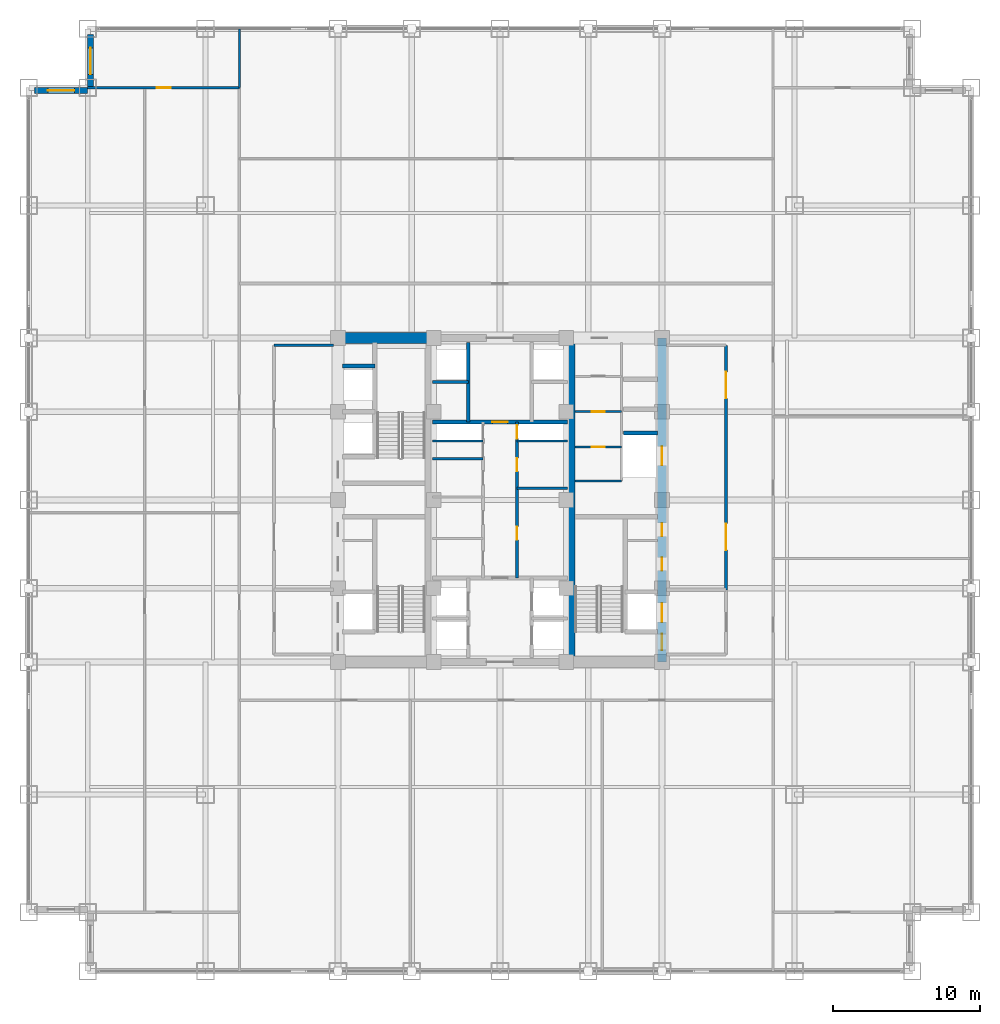
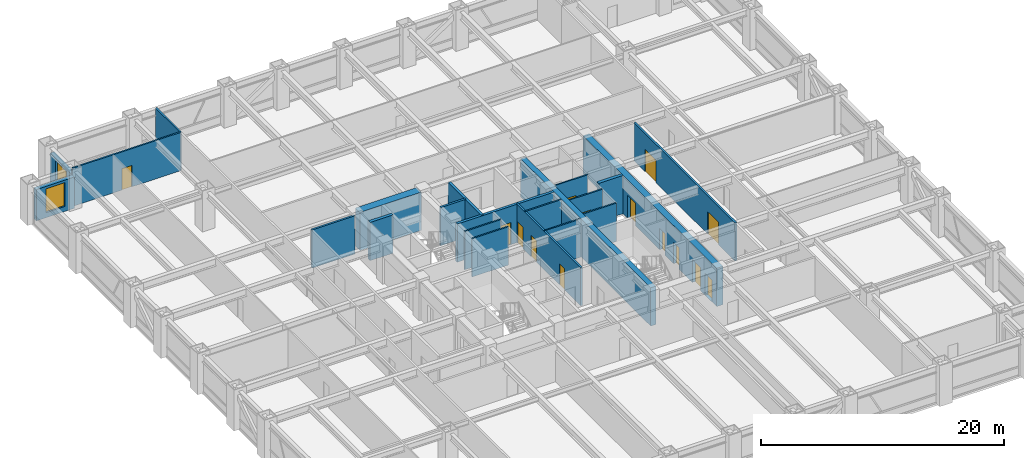
# One storey, part 25 of 27: 22 walls, 14 doors, 2 windows, 16 openings.
"""IFC4 building model written with IfcOpenShell, lengths in metres."""

from ifc_helpers import new_model, si_unit, direction, frame, frame_2d, origin, place, context, subcontext, project, spatial, rectangle, extrude, source, transform, mapped, material, layer, layer_set, type_object, element, fill, save


model = new_model("IFC4")

# Units and contexts
model_context = context("Model", 3, precision=1e-05, world=origin(), true_north=direction((0.0, 1.0)))
body_context = subcontext(model_context, "Body", "Model", "MODEL_VIEW")
ifc_project = project(units=[si_unit("LENGTHUNIT", "METRE"), si_unit("AREAUNIT", "SQUARE_METRE"), si_unit("VOLUMEUNIT", "CUBIC_METRE"), si_unit("PLANEANGLEUNIT", "RADIAN"), si_unit("MASSUNIT", "GRAM", prefix="KILO")], contexts=[model_context])

# Site, building, storey
site_placement = place(None, origin())
site = spatial("IfcSite", under=ifc_project, at=site_placement, CompositionType="ELEMENT")
building_placement = place(site_placement, origin())
building = spatial("IfcBuilding", under=site, at=building_placement, Name="Khorayat Bourse Tower", CompositionType="ELEMENT")
storey_placement = place(building_placement, frame((0.0, 0.0, 103.699951171875)))
storey = spatial("IfcBuildingStorey", under=building, at=storey_placement, Name="L23", CompositionType="ELEMENT", Elevation=103.699951171875)

# Wall, openings, doors
ifc_material_1 = material(Name="Concrete C60/75", Category="concrete")
ifc_layer_1 = layer(ifc_material_1, 0.60009765625)
ifc_layer_set_1 = layer_set([ifc_layer_1], Name="Concrete C60/75")
wall_type_1 = type_object("IfcWallType", Name="WAL-CORE-600", PredefinedType="SHEAR", material=ifc_layer_set_1)
shared_shape_1 = source(origin(), body_context, "Body", "SweptSolid", [
    extrude(rectangle(XDim=22.0, YDim=0.60009765625, at=frame_2d((11.0, 0.0))), origin(), (0.0, 0.0, 1.0), 3.840087890625),
])
wall_1_placement = place(storey_placement, frame((11.0, -11.0, 0.0), z_axis=(0.0, 0.0, 1.0), x_axis=(0.0, 1.0, 0.0)))
wall_1 = element("IfcWall", 1, at=wall_1_placement, inside=storey, type_object=wall_type_1, Name="L23 Core Shear Wall CORE-E", PredefinedType="SHEAR", context=body_context, shape_type="MappedRepresentation", body=[
    mapped(shared_shape_1, transform((0.0, 0.0, 0.0), scale=1.0)),
])
shared_shape_2 = source(origin(), body_context, "Body", "SweptSolid", [
    extrude(rectangle(XDim=1.10009765625, YDim=2.199951171875, at=frame_2d((0.550048828125, 1.10009765625))), frame((0.0, 0.31005859375, 0.0), z_axis=(0.0, -1.0, 0.0), x_axis=(1.0, 0.0, 0.0)), (0.0, 0.0, 1.0), 0.6201171875),
])
opening_1_placement = place(wall_1_placement, frame((0.800048828125, 0.0, 0.0)))
opening_1 = element("IfcOpeningElement", 2, at=opening_1_placement, cuts=wall_1, Name="Opening DI-01", PredefinedType="OPENING", context=body_context, shape_type="MappedRepresentation", body=[
    mapped(shared_shape_2, transform((0.0, 0.0, 0.0), scale=1.0)),
])
shared_shape_3 = source(origin(), body_context, "Body", "SweptSolid", [
    extrude(rectangle(XDim=0.89990234375, YDim=2.14990234375, at=frame_2d((0.449951171875, 1.074951171875))), frame((0.0, 0.31005859375, 0.0), z_axis=(0.0, -1.0, 0.0), x_axis=(1.0, 0.0, 0.0)), (0.0, 0.0, 1.0), 0.6201171875),
])
opening_2_placement = place(wall_1_placement, frame((6.199951171875, 0.0, 0.0)))
opening_2 = element("IfcOpeningElement", 3, at=opening_2_placement, cuts=wall_1, Name="Opening DI-06", PredefinedType="OPENING", context=body_context, shape_type="MappedRepresentation", body=[
    mapped(shared_shape_3, transform((0.0, 0.0, 0.0), scale=1.0)),
])
opening_3_placement = place(wall_1_placement, frame((8.52490234375, 0.0, 0.0)))
opening_3 = element("IfcOpeningElement", 4, at=opening_3_placement, cuts=wall_1, Name="Opening DI-06", PredefinedType="OPENING", context=body_context, shape_type="MappedRepresentation", body=[
    mapped(shared_shape_3, transform((0.0, 0.0, 0.0), scale=1.0)),
])
shared_shape_4 = source(origin(), body_context, "Body", "SweptSolid", [
    extrude(rectangle(XDim=1.300048828125, YDim=2.300048828125, at=frame_2d((0.64990234375, 1.14990234375))), frame((0.0, 0.31005859375, 0.0), z_axis=(0.0, -1.0, 0.0), x_axis=(1.0, 0.0, 0.0)), (0.0, 0.0, 1.0), 0.6201171875),
])
opening_4_placement = place(wall_1_placement, frame((2.699951171875, 0.0, 0.0)))
opening_4 = element("IfcOpeningElement", 5, at=opening_4_placement, cuts=wall_1, Name="Opening LD-02", PredefinedType="OPENING", context=body_context, shape_type="MappedRepresentation", body=[
    mapped(shared_shape_4, transform((0.0, 0.0, 0.0), scale=1.0)),
])
opening_5_placement = place(wall_1_placement, frame((13.35009765625, 0.0, 0.0)))
opening_5 = element("IfcOpeningElement", 6, at=opening_5_placement, cuts=wall_1, Name="Opening LD-02", PredefinedType="OPENING", context=body_context, shape_type="MappedRepresentation", body=[
    mapped(shared_shape_4, transform((0.0, 0.0, 0.0), scale=1.0)),
])
ifc_material_2 = material(Name="Fire-rated steel acoustic leaf", Category="steel")
door_type_1 = type_object("IfcDoorType", Name="DR-INT-STAIR-1100", OperationType="NOTDEFINED", PredefinedType="DOOR", material=ifc_material_2)
shared_shape_5 = source(origin(), body_context, "Body", "SweptSolid", [
    extrude(rectangle(XDim=1.10009765625, YDim=2.199951171875, at=frame_2d((0.550048828125, 1.10009765625))), frame((0.0, 0.02490234375, 0.0), z_axis=(0.0, -1.0, 0.0), x_axis=(1.0, 0.0, 0.0)), (0.0, 0.0, 1.0), 0.050048828125),
])
door_1_placement = place(opening_1_placement, origin())
door_1 = element("IfcDoor", 7, at=door_1_placement, inside=storey, type_object=door_type_1, Name="L23 Exit Stair 3 Door", OperationType="SINGLE_SWING_LEFT", OverallHeight=2.199951171875, OverallWidth=1.10009765625, PredefinedType="DOOR", context=body_context, shape_type="MappedRepresentation", body=[
    mapped(shared_shape_5, transform((0.0, 0.0, 0.0), scale=1.0)),
])
fill(opening_1, door_1)
ifc_material_3 = material(Name="Moisture-resistant laminate washroom door")
door_type_2 = type_object("IfcDoorType", Name="DR-INT-WC-900", OperationType="NOTDEFINED", PredefinedType="DOOR", material=ifc_material_3)
shared_shape_6 = source(origin(), body_context, "Body", "SweptSolid", [
    extrude(rectangle(XDim=0.89990234375, YDim=2.14990234375, at=frame_2d((0.449951171875, 1.074951171875))), frame((0.0, 0.02490234375, 0.0), z_axis=(0.0, -1.0, 0.0), x_axis=(1.0, 0.0, 0.0)), (0.0, 0.0, 1.0), 0.050048828125),
])
door_2_placement = place(opening_2_placement, origin())
door_2 = element("IfcDoor", 8, at=door_2_placement, inside=storey, type_object=door_type_2, Name="L23 Telecom Closet Door", OperationType="SINGLE_SWING_LEFT", OverallHeight=2.14990234375, OverallWidth=0.89990234375, PredefinedType="DOOR", context=body_context, shape_type="MappedRepresentation", body=[
    mapped(shared_shape_6, transform((0.0, 0.0, 0.0), scale=1.0)),
])
fill(opening_2, door_2)
door_3_placement = place(opening_3_placement, origin())
door_3 = element("IfcDoor", 9, at=door_3_placement, inside=storey, type_object=door_type_2, Name="L23 Stationery Store Door", OperationType="SINGLE_SWING_RIGHT", OverallHeight=2.14990234375, OverallWidth=0.89990234375, PredefinedType="DOOR", context=body_context, shape_type="MappedRepresentation", body=[
    mapped(shared_shape_6, transform((0.0, 0.0, 0.0), scale=1.0)),
])
fill(opening_3, door_3)
ifc_material_4 = material(Name="Fire-rated stainless-steel sliding landing door", Category="steel")
door_type_3 = type_object("IfcDoorType", Name="DR-LIFT-FF-1300", OperationType="NOTDEFINED", PredefinedType="DOOR", material=ifc_material_4)
shared_shape_7 = source(origin(), body_context, "Body", "SweptSolid", [
    extrude(rectangle(XDim=1.300048828125, YDim=2.300048828125, at=frame_2d((0.64990234375, 1.14990234375))), frame((0.0, 0.02490234375, 0.0), z_axis=(0.0, -1.0, 0.0), x_axis=(1.0, 0.0, 0.0)), (0.0, 0.0, 1.0), 0.050048828125),
])
door_4_placement = place(opening_4_placement, origin())
door_4 = element("IfcDoor", 10, at=door_4_placement, inside=storey, type_object=door_type_3, Name="L23 Lift FFL-02 Sliding Landing Door", OperationType="SLIDING_TO_LEFT", OverallHeight=2.300048828125, OverallWidth=1.300048828125, PredefinedType="DOOR", context=body_context, shape_type="MappedRepresentation", body=[
    mapped(shared_shape_7, transform((0.0, 0.0, 0.0), scale=1.0)),
])
fill(opening_4, door_4)
door_5_placement = place(opening_5_placement, origin())
door_5 = element("IfcDoor", 11, at=door_5_placement, inside=storey, type_object=door_type_3, Name="L23 Lift SVL-01 Sliding Landing Door", OperationType="SLIDING_TO_LEFT", OverallHeight=2.300048828125, OverallWidth=1.300048828125, PredefinedType="DOOR", context=body_context, shape_type="MappedRepresentation", body=[
    mapped(shared_shape_7, transform((0.0, 0.0, 0.0), scale=1.0)),
])
fill(opening_5, door_5)

# Walls
ifc_material_5 = material(Name="Concrete C52/65", Category="concrete")
ifc_layer_2 = layer(ifc_material_5, 0.5)
ifc_layer_set_2 = layer_set([ifc_layer_2], Name="Concrete C52/65")
wall_type_2 = type_object("IfcWallType", Name="WAL-CORE-500", PredefinedType="SHEAR", material=ifc_layer_set_2)
shared_shape_8 = source(origin(), body_context, "Body", "SweptSolid", [
    extrude(rectangle(XDim=21.39990234375, YDim=0.5, at=frame_2d((10.699951171875, 0.0))), origin(), (0.0, 0.0, 1.0), 3.840087890625),
])
wall_2_placement = place(storey_placement, frame((4.85009765625, -10.699951171875, 0.0), z_axis=(0.0, 0.0, 1.0), x_axis=(0.0, 1.0, 0.0)))
element("IfcWall", 12, at=wall_2_placement, inside=storey, type_object=wall_type_2, Name="L23 Core Shear Wall PIER-E", PredefinedType="SHEAR", context=body_context, shape_type="MappedRepresentation", body=[
    mapped(shared_shape_8, transform((0.0, 0.0, 0.0), scale=1.0)),
])
ifc_material_6 = material(Name="Concrete C72/90", Category="concrete")
ifc_layer_3 = layer(ifc_material_6, 0.75)
ifc_layer_set_3 = layer_set([ifc_layer_3], Name="Concrete C72/90")
wall_type_3 = type_object("IfcWallType", Name="WAL-CORE-750", PredefinedType="SHEAR", material=ifc_layer_set_3)
shared_shape_9 = source(origin(), body_context, "Body", "SweptSolid", [
    extrude(rectangle(XDim=5.849853515625, YDim=0.75, at=frame_2d((2.9248046875, 0.0))), origin(), (0.0, 0.0, 1.0), 3.840087890625),
])
wall_3_placement = place(storey_placement, frame((-10.699951171875, 11.0, 0.0), z_axis=(0.0, 0.0, 1.0), x_axis=(1.0, 0.0, 0.0)))
element("IfcWall", 13, at=wall_3_placement, inside=storey, type_object=wall_type_3, Name="L23 Core Shear Wall PIER-WN", PredefinedType="SHEAR", context=body_context, shape_type="MappedRepresentation", body=[
    mapped(shared_shape_9, transform((0.0, 0.0, 0.0), scale=1.0)),
])

# Wall, opening, window
ifc_material_7 = material(Name="Precast concrete C45/55", Category="concrete")
ifc_layer_4 = layer(ifc_material_7, 0.3798828125)
ifc_layer_set_4 = layer_set([ifc_layer_4], Name="Precast concrete C45/55")
wall_type_4 = type_object("IfcWallType", Name="WAL-EXT-STONE-380", PredefinedType="STANDARD", material=ifc_layer_set_4)
shared_shape_10 = source(origin(), body_context, "Body", "SweptSolid", [
    extrude(rectangle(XDim=3.6201171875, YDim=0.3798828125, at=frame_2d((1.81005859375, 0.0))), origin(), (0.0, 0.0, 1.0), 3.14501953125),
])
wall_4_placement = place(storey_placement, frame((-27.81005859375, 28.0, 0.0), z_axis=(0.0, 0.0, 1.0), x_axis=(0.0, 1.0, 0.0)))
wall_4 = element("IfcWall", 14, at=wall_4_placement, inside=storey, type_object=wall_type_4, Name="L23 Re-Entrant Notch Limestone Wall NW-V", PredefinedType="STANDARD", context=body_context, shape_type="MappedRepresentation", body=[
    mapped(shared_shape_10, transform((0.0, 0.0, 0.0), scale=1.0)),
])
shared_shape_11 = source(origin(), body_context, "Body", "SweptSolid", [
    extrude(rectangle(XDim=1.800048828125, YDim=2.39990234375, at=frame_2d((0.89990234375, 1.199951171875))), frame((0.0, 0.199951171875, 0.0), z_axis=(0.0, -1.0, 0.0), x_axis=(1.0, 0.0, 0.0)), (0.0, 0.0, 1.0), 0.39990234375),
])
opening_6_placement = place(wall_4_placement, frame((0.909912109375, 0.0, 0.5)))
opening_6 = element("IfcOpeningElement", 15, at=opening_6_placement, cuts=wall_4, Name="Opening WN-04", PredefinedType="OPENING", context=body_context, shape_type="MappedRepresentation", body=[
    mapped(shared_shape_11, transform((0.0, 0.0, 0.0), scale=1.0)),
])
ifc_material_8 = material(Name="Low-E acoustic laminated double glazing", Category="glass")
window_type = type_object("IfcWindowType", Name="WIN-NOTCH-1800x2400", PartitioningType="SINGLE_PANEL", PredefinedType="WINDOW", material=ifc_material_8)
shared_shape_12 = source(origin(), body_context, "Body", "SweptSolid", [
    extrude(rectangle(XDim=1.800048828125, YDim=2.39990234375, at=frame_2d((0.89990234375, 1.199951171875))), frame((0.0, 0.030029296875, 0.0), z_axis=(0.0, -1.0, 0.0), x_axis=(1.0, 0.0, 0.0)), (0.0, 0.0, 1.0), 0.06005859375),
])
window_1_placement = place(opening_6_placement, origin())
window_1 = element("IfcWindow", 16, at=window_1_placement, inside=storey, type_object=window_type, Name="L23 Facade Window 1", OverallHeight=2.39990234375, OverallWidth=1.800048828125, PartitioningType="SINGLE_PANEL", PredefinedType="WINDOW", context=body_context, shape_type="MappedRepresentation", body=[
    mapped(shared_shape_12, transform((0.0, 0.0, 0.0), scale=1.0)),
])
fill(opening_6, window_1)

wall_5_placement = place(storey_placement, frame((-28.0, 27.81005859375, 0.0), z_axis=(0.0, 0.0, 1.0), x_axis=(-1.0, 0.0, 0.0)))
wall_5 = element("IfcWall", 17, at=wall_5_placement, inside=storey, type_object=wall_type_4, Name="L23 Re-Entrant Notch Limestone Wall NW-H", PredefinedType="STANDARD", context=body_context, shape_type="MappedRepresentation", body=[
    mapped(shared_shape_10, transform((0.0, 0.0, 0.0), scale=1.0)),
])
opening_7_placement = place(wall_5_placement, frame((0.909912109375, 0.0, 0.5)))
opening_7 = element("IfcOpeningElement", 18, at=opening_7_placement, cuts=wall_5, Name="Opening WN-04", PredefinedType="OPENING", context=body_context, shape_type="MappedRepresentation", body=[
    mapped(shared_shape_11, transform((0.0, 0.0, 0.0), scale=1.0)),
])
window_2_placement = place(opening_7_placement, origin())
window_2 = element("IfcWindow", 19, at=window_2_placement, inside=storey, type_object=window_type, Name="L23 Facade Window 1", OverallHeight=2.39990234375, OverallWidth=1.800048828125, PartitioningType="SINGLE_PANEL", PredefinedType="WINDOW", context=body_context, shape_type="MappedRepresentation", body=[
    mapped(shared_shape_12, transform((0.0, 0.0, 0.0), scale=1.0)),
])
fill(opening_7, window_2)

# Walls
ifc_material_9 = material(Name="Concrete C50/60", Category="concrete")
ifc_layer_5 = layer(ifc_material_9, 0.300048828125)
ifc_layer_set_5 = layer_set([ifc_layer_5], Name="Concrete C50/60")
wall_type_5 = type_object("IfcWallType", Name="WAL-SHAFT-300", PredefinedType="SHEAR", material=ifc_layer_set_5)
shared_shape_13 = source(origin(), body_context, "Body", "SweptSolid", [
    extrude(rectangle(XDim=2.199951171875, YDim=0.300048828125, at=frame_2d((1.10009765625, 0.0))), origin(), (0.0, 0.0, 1.0), 3.840087890625),
])
wall_6_placement = place(storey_placement, frame((-10.699951171875, 9.10009765625, 0.0), z_axis=(0.0, 0.0, 1.0), x_axis=(1.0, 0.0, 0.0)))
element("IfcWall", 20, at=wall_6_placement, inside=storey, type_object=wall_type_5, Name="L23 Partition WAL-L23-WPIER-H2N", PredefinedType="SHEAR", context=body_context, shape_type="MappedRepresentation", body=[
    mapped(shared_shape_13, transform((0.0, 0.0, 0.0), scale=1.0)),
])
shared_shape_14 = source(origin(), body_context, "Body", "SweptSolid", [
    extrude(rectangle(XDim=2.300048828125, YDim=0.300048828125, at=frame_2d((1.14990234375, 0.0))), origin(), (0.0, 0.0, 1.0), 3.840087890625),
])
wall_7_placement = place(storey_placement, frame((8.39990234375, 4.550048828125, 0.0), z_axis=(0.0, 0.0, 1.0), x_axis=(1.0, 0.0, 0.0)))
element("IfcWall", 21, at=wall_7_placement, inside=storey, type_object=wall_type_5, Name="L23 Partition WAL-L23-EPIER-SVLN", PredefinedType="SHEAR", context=body_context, shape_type="MappedRepresentation", body=[
    mapped(shared_shape_14, transform((0.0, 0.0, 0.0), scale=1.0)),
])
ifc_material_10 = material(Name="Moisture-resistant masonry partition", Category="masonry")
ifc_layer_6 = layer(ifc_material_10, 0.139892578125)
ifc_layer_set_6 = layer_set([ifc_layer_6], Name="Moisture-resistant masonry partition")
wall_type_6 = type_object("IfcWallType", Name="WAL-PART-WET-140", PredefinedType="PARTITIONING", material=ifc_layer_set_6)
shared_shape_15 = source(origin(), body_context, "Body", "SweptSolid", [
    extrude(rectangle(XDim=3.14990234375, YDim=0.139892578125, at=frame_2d((1.574951171875, 0.0))), origin(), (0.0, 0.0, 1.0), 3.840087890625),
])
wall_8_placement = place(storey_placement, frame((5.10009765625, 1.300048828125, 0.0), z_axis=(0.0, 0.0, 1.0), x_axis=(1.0, 0.0, 0.0)))
element("IfcWall", 22, at=wall_8_placement, inside=storey, type_object=wall_type_6, Name="L23 Partition WAL-L23-ECORE-S", PredefinedType="PARTITIONING", context=body_context, shape_type="MappedRepresentation", body=[
    mapped(shared_shape_15, transform((0.0, 0.0, 0.0), scale=1.0)),
])

# Wall, opening, door
wall_9_placement = place(storey_placement, frame((5.10009765625, 6.0, 0.0), z_axis=(0.0, 0.0, 1.0), x_axis=(1.0, 0.0, 0.0)))
wall_9 = element("IfcWall", 23, at=wall_9_placement, inside=storey, type_object=wall_type_6, Name="L23 Partition WAL-L23-ECW-H1", PredefinedType="PARTITIONING", context=body_context, shape_type="MappedRepresentation", body=[
    mapped(shared_shape_15, transform((0.0, 0.0, 0.0), scale=1.0)),
])
shared_shape_16 = source(origin(), body_context, "Body", "SweptSolid", [
    extrude(rectangle(XDim=0.89990234375, YDim=2.14990234375, at=frame_2d((0.449951171875, 1.074951171875))), frame((0.0, 0.079833984375, 0.0), z_axis=(0.0, -1.0, 0.0), x_axis=(1.0, 0.0, 0.0)), (0.0, 0.0, 1.0), 0.159912109375),
])
opening_8_placement = place(wall_9_placement, frame((1.1298828125, 0.0, 0.0)))
opening_8 = element("IfcOpeningElement", 24, at=opening_8_placement, cuts=wall_9, Name="Opening DI-06", PredefinedType="OPENING", context=body_context, shape_type="MappedRepresentation", body=[
    mapped(shared_shape_16, transform((0.0, 0.0, 0.0), scale=1.0)),
])
door_6_placement = place(opening_8_placement, origin())
door_6 = element("IfcDoor", 25, at=door_6_placement, inside=storey, type_object=door_type_2, Name="L23 Shared Washroom Door", OperationType="SINGLE_SWING_RIGHT", OverallHeight=2.14990234375, OverallWidth=0.89990234375, PredefinedType="DOOR", context=body_context, shape_type="MappedRepresentation", body=[
    mapped(shared_shape_6, transform((0.0, 0.0, 0.0), scale=1.0)),
])
fill(opening_8, door_6)

wall_10_placement = place(storey_placement, frame((5.10009765625, 3.60009765625, 0.0), z_axis=(0.0, 0.0, 1.0), x_axis=(1.0, 0.0, 0.0)))
wall_10 = element("IfcWall", 26, at=wall_10_placement, inside=storey, type_object=wall_type_6, Name="L23 Partition WAL-L23-ECW-H2", PredefinedType="PARTITIONING", context=body_context, shape_type="MappedRepresentation", body=[
    mapped(shared_shape_15, transform((0.0, 0.0, 0.0), scale=1.0)),
])
opening_9_placement = place(wall_10_placement, frame((1.1298828125, 0.0, 0.0)))
opening_9 = element("IfcOpeningElement", 27, at=opening_9_placement, cuts=wall_10, Name="Opening DI-06", PredefinedType="OPENING", context=body_context, shape_type="MappedRepresentation", body=[
    mapped(shared_shape_16, transform((0.0, 0.0, 0.0), scale=1.0)),
])
door_7_placement = place(opening_9_placement, origin())
door_7 = element("IfcDoor", 28, at=door_7_placement, inside=storey, type_object=door_type_2, Name="L23 Staff Washroom Door", OperationType="SINGLE_SWING_LEFT", OverallHeight=2.14990234375, OverallWidth=0.89990234375, PredefinedType="DOOR", context=body_context, shape_type="MappedRepresentation", body=[
    mapped(shared_shape_6, transform((0.0, 0.0, 0.0), scale=1.0)),
])
fill(opening_9, door_7)

# Wall
ifc_material_11 = material(Name="Gypsum plasterboard acoustic stud wall")
ifc_layer_7 = layer(ifc_material_11, 0.179931640625)
ifc_layer_set_7 = layer_set([ifc_layer_7], Name="Gypsum plasterboard acoustic stud wall")
wall_type_7 = type_object("IfcWallType", Name="WAL-PART-CORR-180", PredefinedType="PARTITIONING", material=ifc_layer_set_7)
shared_shape_17 = source(origin(), body_context, "Body", "SweptSolid", [
    extrude(rectangle(XDim=4.050048828125, YDim=0.179931640625, at=frame_2d((2.02490234375, 0.0))), origin(), (0.0, 0.0, 1.0), 3.840087890625),
])
wall_11_placement = place(storey_placement, frame((-15.35009765625, 10.5, 0.0), z_axis=(0.0, 0.0, 1.0), x_axis=(1.0, 0.0, 0.0)))
element("IfcWall", 29, at=wall_11_placement, inside=storey, type_object=wall_type_7, Name="L23 Partition WAL-L23-WLOB-N", PredefinedType="PARTITIONING", context=body_context, shape_type="MappedRepresentation", body=[
    mapped(shared_shape_17, transform((0.0, 0.0, 0.0), scale=1.0)),
])

# Wall, openings, doors
shared_shape_18 = source(origin(), body_context, "Body", "SweptSolid", [
    extrude(rectangle(XDim=16.60009765625, YDim=0.179931640625, at=frame_2d((8.300048828125, 0.0))), origin(), (0.0, 0.0, 1.0), 3.840087890625),
])
wall_12_placement = place(storey_placement, frame((15.35009765625, -6.10009765625, 0.0), z_axis=(0.0, 0.0, 1.0), x_axis=(0.0, 1.0, 0.0)))
wall_12 = element("IfcWall", 30, at=wall_12_placement, inside=storey, type_object=wall_type_7, Name="L23 Partition WAL-L23-ELOB-E", PredefinedType="PARTITIONING", context=body_context, shape_type="MappedRepresentation", body=[
    mapped(shared_shape_18, transform((0.0, 0.0, 0.0), scale=1.0)),
])
shared_shape_19 = source(origin(), body_context, "Body", "SweptSolid", [
    extrude(rectangle(XDim=1.800048828125, YDim=2.25, at=frame_2d((0.89990234375, 1.125))), frame((0.0, 0.099853515625, 0.0), z_axis=(0.0, -1.0, 0.0), x_axis=(1.0, 0.0, 0.0)), (0.0, 0.0, 1.0), 0.199951171875),
])
opening_10_placement = place(wall_12_placement, frame((2.699951171875, 0.0, 0.0)))
opening_10 = element("IfcOpeningElement", 31, at=opening_10_placement, cuts=wall_12, Name="Opening DI-03", PredefinedType="OPENING", context=body_context, shape_type="MappedRepresentation", body=[
    mapped(shared_shape_19, transform((0.0, 0.0, 0.0), scale=1.0)),
])
opening_11_placement = place(wall_12_placement, frame((13.0, 0.0, 0.0)))
opening_11 = element("IfcOpeningElement", 32, at=opening_11_placement, cuts=wall_12, Name="Opening DI-03", PredefinedType="OPENING", context=body_context, shape_type="MappedRepresentation", body=[
    mapped(shared_shape_19, transform((0.0, 0.0, 0.0), scale=1.0)),
])
ifc_material_12 = material(Name="Fire-rated hardwood vision-panel double leaf", Category="wood")
door_type_4 = type_object("IfcDoorType", Name="DR-INT-CORR-1800", OperationType="NOTDEFINED", PredefinedType="DOOR", material=ifc_material_12)
shared_shape_20 = source(origin(), body_context, "Body", "SweptSolid", [
    extrude(rectangle(XDim=1.800048828125, YDim=2.25, at=frame_2d((0.89990234375, 1.125))), frame((0.0, 0.02490234375, 0.0), z_axis=(0.0, -1.0, 0.0), x_axis=(1.0, 0.0, 0.0)), (0.0, 0.0, 1.0), 0.050048828125),
])
door_8_placement = place(opening_10_placement, origin())
door_8 = element("IfcDoor", 33, at=door_8_placement, inside=storey, type_object=door_type_4, Name="L23 East Core Lobby South Door", OperationType="SINGLE_SWING_RIGHT", OverallHeight=2.25, OverallWidth=1.800048828125, PredefinedType="DOOR", context=body_context, shape_type="MappedRepresentation", body=[
    mapped(shared_shape_20, transform((0.0, 0.0, 0.0), scale=1.0)),
])
fill(opening_10, door_8)
door_9_placement = place(opening_11_placement, origin())
door_9 = element("IfcDoor", 34, at=door_9_placement, inside=storey, type_object=door_type_4, Name="L23 East Core Lobby North Door", OperationType="SINGLE_SWING_LEFT", OverallHeight=2.25, OverallWidth=1.800048828125, PredefinedType="DOOR", context=body_context, shape_type="MappedRepresentation", body=[
    mapped(shared_shape_20, transform((0.0, 0.0, 0.0), scale=1.0)),
])
fill(opening_11, door_9)

# Walls
ifc_material_13 = material(Name="Gypsum plasterboard twin-frame partition")
ifc_layer_8 = layer(ifc_material_13, 0.14990234375)
ifc_layer_set_8 = layer_set([ifc_layer_8], Name="Gypsum plasterboard twin-frame partition")
wall_type_8 = type_object("IfcWallType", Name="WAL-PART-SUITE-150", PredefinedType="PARTITIONING", material=ifc_layer_set_8)
shared_shape_21 = source(origin(), body_context, "Body", "SweptSolid", [
    extrude(rectangle(XDim=3.4501953125, YDim=0.14990234375, at=frame_2d((1.72509765625, 0.0))), origin(), (0.0, 0.0, 1.0), 3.840087890625),
])
for number, where, z_axis, x_axis, name in (
    (35, (-4.60009765625, 4.0, 0.0), (0.0, 0.0, 1.0), (1.0, 0.0, 0.0), "L23 Partition WAL-L23-CRSW-S"),
    (36, (1.14990234375, 4.0, 0.0), (0.0, 0.0, 1.0), (1.0, 0.0, 0.0), "L23 Partition WAL-L23-CRSE-S"),
):
    element("IfcWall", number, at=place(storey_placement, frame(where, z_axis=z_axis, x_axis=x_axis)), inside=storey, type_object=wall_type_8, Name=name, PredefinedType="PARTITIONING", context=body_context, shape_type="MappedRepresentation", body=[
        mapped(shared_shape_21, transform((0.0, 0.0, 0.0), scale=1.0)),
    ])
shared_shape_22 = source(origin(), body_context, "Body", "SweptSolid", [
    extrude(rectangle(XDim=5.39990234375, YDim=0.25, at=frame_2d((2.699951171875, 0.0))), origin(), (0.0, 0.0, 1.0), 3.840087890625),
])
wall_13_placement = place(storey_placement, frame((-2.14990234375, 5.300048828125, 0.0), z_axis=(0.0, 0.0, 1.0), x_axis=(0.0, 1.0, 0.0)))
element("IfcWall", 37, at=wall_13_placement, inside=storey, type_object=wall_type_5, Name="L23 Partition WAL-L23-B2-W", PredefinedType="SHEAR", context=body_context, shape_type="MappedRepresentation", body=[
    mapped(shared_shape_22, transform((0.0, 0.0, 0.0), scale=1.0)),
])
shared_shape_23 = source(origin(), body_context, "Body", "SweptSolid", [
    extrude(rectangle(XDim=2.4501953125, YDim=0.199951171875, at=frame_2d((1.22509765625, 0.0))), origin(), (0.0, 0.0, 1.0), 3.840087890625),
])
wall_14_placement = place(storey_placement, frame((-4.60009765625, 8.0, 0.0), z_axis=(0.0, 0.0, 1.0), x_axis=(1.0, 0.0, 0.0)))
element("IfcWall", 38, at=wall_14_placement, inside=storey, type_object=wall_type_5, Name="L23 Partition WAL-L23-B2-MW", PredefinedType="SHEAR", context=body_context, shape_type="MappedRepresentation", body=[
    mapped(shared_shape_23, transform((0.0, 0.0, 0.0), scale=1.0)),
])

# Wall, opening, door
shared_shape_24 = source(origin(), body_context, "Body", "SweptSolid", [
    extrude(rectangle(XDim=9.2001953125, YDim=0.25, at=frame_2d((4.60009765625, 0.0))), origin(), (0.0, 0.0, 1.0), 3.840087890625),
])
wall_15_placement = place(storey_placement, frame((-4.60009765625, 5.300048828125, 0.0), z_axis=(0.0, 0.0, 1.0), x_axis=(1.0, 0.0, 0.0)))
wall_15 = element("IfcWall", 39, at=wall_15_placement, inside=storey, type_object=wall_type_5, Name="L23 Partition WAL-L23-B2-S", PredefinedType="SHEAR", context=body_context, shape_type="MappedRepresentation", body=[
    mapped(shared_shape_24, transform((0.0, 0.0, 0.0), scale=1.0)),
])
shared_shape_25 = source(origin(), body_context, "Body", "SweptSolid", [
    extrude(rectangle(XDim=1.050048828125, YDim=2.199951171875, at=frame_2d((0.52490234375, 1.10009765625))), frame((0.0, 0.135009765625, 0.0), z_axis=(0.0, -1.0, 0.0), x_axis=(1.0, 0.0, 0.0)), (0.0, 0.0, 1.0), 0.27001953125),
])
opening_12_placement = place(wall_15_placement, frame((4.074951171875, 0.0, 0.0)))
opening_12 = element("IfcOpeningElement", 40, at=opening_12_placement, cuts=wall_15, Name="Opening DI-04", PredefinedType="OPENING", context=body_context, shape_type="MappedRepresentation", body=[
    mapped(shared_shape_25, transform((0.0, 0.0, 0.0), scale=1.0)),
])
ifc_material_14 = material(Name="Fire-rated oak veneer suite entrance door")
door_type_5 = type_object("IfcDoorType", Name="DR-INT-SUITE-1050", OperationType="NOTDEFINED", PredefinedType="DOOR", material=ifc_material_14)
shared_shape_26 = source(origin(), body_context, "Body", "SweptSolid", [
    extrude(rectangle(XDim=1.050048828125, YDim=2.199951171875, at=frame_2d((0.52490234375, 1.10009765625))), frame((0.0, 0.02490234375, 0.0), z_axis=(0.0, -1.0, 0.0), x_axis=(1.0, 0.0, 0.0)), (0.0, 0.0, 1.0), 0.050048828125),
])
door_10_placement = place(opening_12_placement, origin())
door_10 = element("IfcDoor", 41, at=door_10_placement, inside=storey, type_object=door_type_5, Name="L23 Core Spine North Door", OperationType="SINGLE_SWING_RIGHT", OverallHeight=2.199951171875, OverallWidth=1.050048828125, PredefinedType="DOOR", context=body_context, shape_type="MappedRepresentation", body=[
    mapped(shared_shape_26, transform((0.0, 0.0, 0.0), scale=1.0)),
])
fill(opening_12, door_10)

# Wall, openings, doors
shared_shape_27 = source(origin(), body_context, "Body", "SweptSolid", [
    extrude(rectangle(XDim=10.60009765625, YDim=0.179931640625, at=frame_2d((5.300048828125, 0.0))), origin(), (0.0, 0.0, 1.0), 3.840087890625),
])
wall_16_placement = place(storey_placement, frame((1.14990234375, -5.300048828125, 0.0), z_axis=(0.0, 0.0, 1.0), x_axis=(0.0, 1.0, 0.0)))
wall_16 = element("IfcWall", 42, at=wall_16_placement, inside=storey, type_object=wall_type_7, Name="L23 Partition WAL-L23-CME-L", PredefinedType="PARTITIONING", context=body_context, shape_type="MappedRepresentation", body=[
    mapped(shared_shape_27, transform((0.0, 0.0, 0.0), scale=1.0)),
])
shared_shape_28 = source(origin(), body_context, "Body", "SweptSolid", [
    extrude(rectangle(XDim=0.89990234375, YDim=2.14990234375, at=frame_2d((0.449951171875, 1.074951171875))), frame((0.0, 0.099853515625, 0.0), z_axis=(0.0, -1.0, 0.0), x_axis=(1.0, 0.0, 0.0)), (0.0, 0.0, 1.0), 0.199951171875),
])
opening_13_placement = place(wall_16_placement, frame((2.60009765625, 0.0, 0.0)))
opening_13 = element("IfcOpeningElement", 43, at=opening_13_placement, cuts=wall_16, Name="Opening DI-06", PredefinedType="OPENING", context=body_context, shape_type="MappedRepresentation", body=[
    mapped(shared_shape_28, transform((0.0, 0.0, 0.0), scale=1.0)),
])
opening_14_placement = place(wall_16_placement, frame((7.25, 0.0, 0.0)))
opening_14 = element("IfcOpeningElement", 44, at=opening_14_placement, cuts=wall_16, Name="Opening DI-06", PredefinedType="OPENING", context=body_context, shape_type="MappedRepresentation", body=[
    mapped(shared_shape_28, transform((0.0, 0.0, 0.0), scale=1.0)),
])
opening_15_placement = place(wall_16_placement, frame((9.47509765625, 0.0, 0.0)))
opening_15 = element("IfcOpeningElement", 45, at=opening_15_placement, cuts=wall_16, Name="Opening DI-06", PredefinedType="OPENING", context=body_context, shape_type="MappedRepresentation", body=[
    mapped(shared_shape_28, transform((0.0, 0.0, 0.0), scale=1.0)),
])
door_11_placement = place(opening_13_placement, origin())
door_11 = element("IfcDoor", 46, at=door_11_placement, inside=storey, type_object=door_type_2, Name="L23 Female Core Washroom Door", OperationType="SINGLE_SWING_RIGHT", OverallHeight=2.14990234375, OverallWidth=0.89990234375, PredefinedType="DOOR", context=body_context, shape_type="MappedRepresentation", body=[
    mapped(shared_shape_6, transform((0.0, 0.0, 0.0), scale=1.0)),
])
fill(opening_13, door_11)
door_12_placement = place(opening_14_placement, origin())
door_12 = element("IfcDoor", 47, at=door_12_placement, inside=storey, type_object=door_type_2, Name="L23 Smoke Extract Fan Plant Room Door", OperationType="SINGLE_SWING_LEFT", OverallHeight=2.14990234375, OverallWidth=0.89990234375, PredefinedType="DOOR", context=body_context, shape_type="MappedRepresentation", body=[
    mapped(shared_shape_6, transform((0.0, 0.0, 0.0), scale=1.0)),
])
fill(opening_14, door_12)
door_13_placement = place(opening_15_placement, origin())
door_13 = element("IfcDoor", 48, at=door_13_placement, inside=storey, type_object=door_type_2, Name="L23 East Core Riser Door", OperationType="SINGLE_SWING_RIGHT", OverallHeight=2.14990234375, OverallWidth=0.89990234375, PredefinedType="DOOR", context=body_context, shape_type="MappedRepresentation", body=[
    mapped(shared_shape_6, transform((0.0, 0.0, 0.0), scale=1.0)),
])
fill(opening_15, door_13)

# Walls
shared_shape_29 = source(origin(), body_context, "Body", "SweptSolid", [
    extrude(rectangle(XDim=3.4501953125, YDim=0.139892578125, at=frame_2d((1.72509765625, 0.0))), origin(), (0.0, 0.0, 1.0), 3.840087890625),
])
for number, where, z_axis, x_axis, name in (
    (49, (-4.60009765625, 2.800048828125, 0.0), (0.0, 0.0, 1.0), (1.0, 0.0, 0.0), "L23 Partition WAL-L23-CMW-D3"),
    (50, (1.14990234375, 0.800048828125, 0.0), (0.0, 0.0, 1.0), (1.0, 0.0, 0.0), "L23 Partition WAL-L23-CME-D1"),
):
    element("IfcWall", number, at=place(storey_placement, frame(where, z_axis=z_axis, x_axis=x_axis)), inside=storey, type_object=wall_type_6, Name=name, PredefinedType="PARTITIONING", context=body_context, shape_type="MappedRepresentation", body=[
        mapped(shared_shape_29, transform((0.0, 0.0, 0.0), scale=1.0)),
    ])
shared_shape_30 = source(origin(), body_context, "Body", "SweptSolid", [
    extrude(rectangle(XDim=4.0, YDim=0.14990234375, at=frame_2d((2.0, 0.0))), origin(), (0.0, 0.0, 1.0), 3.840087890625),
])
wall_17_placement = place(storey_placement, frame((-17.699951171875, 28.0, 0.0), z_axis=(0.0, 0.0, 1.0), x_axis=(0.0, 1.0, 0.0)))
element("IfcWall", 51, at=wall_17_placement, inside=storey, type_object=wall_type_8, Name="L23 Partition WAL-L23-NCW-END", PredefinedType="PARTITIONING", context=body_context, shape_type="MappedRepresentation", body=[
    mapped(shared_shape_30, transform((0.0, 0.0, 0.0), scale=1.0)),
])

# Wall, opening, door
shared_shape_31 = source(origin(), body_context, "Body", "SweptSolid", [
    extrude(rectangle(XDim=10.300048828125, YDim=0.14990234375, at=frame_2d((5.14990234375, 0.0))), origin(), (0.0, 0.0, 1.0), 3.840087890625),
])
wall_18_placement = place(storey_placement, frame((-28.0, 28.0, 0.0), z_axis=(0.0, 0.0, 1.0), x_axis=(1.0, 0.0, 0.0)))
wall_18 = element("IfcWall", 52, at=wall_18_placement, inside=storey, type_object=wall_type_8, Name="L23 Partition WAL-L23-CNW", PredefinedType="PARTITIONING", context=body_context, shape_type="MappedRepresentation", body=[
    mapped(shared_shape_31, transform((0.0, 0.0, 0.0), scale=1.0)),
])
shared_shape_32 = source(origin(), body_context, "Body", "SweptSolid", [
    extrude(rectangle(XDim=0.949951171875, YDim=2.14990234375, at=frame_2d((0.47509765625, 1.074951171875))), frame((0.0, 0.0849609375, 0.0), z_axis=(0.0, -1.0, 0.0), x_axis=(1.0, 0.0, 0.0)), (0.0, 0.0, 1.0), 0.169921875),
])
opening_16_placement = place(wall_18_placement, frame((4.675048828125, 0.0, 0.0)))
opening_16 = element("IfcOpeningElement", 53, at=opening_16_placement, cuts=wall_18, Name="Opening DI-05", PredefinedType="OPENING", context=body_context, shape_type="MappedRepresentation", body=[
    mapped(shared_shape_32, transform((0.0, 0.0, 0.0), scale=1.0)),
])
ifc_material_15 = material(Name="Acoustic oak veneer office door")
door_type_6 = type_object("IfcDoorType", Name="DR-INT-OFFICE-950", OperationType="NOTDEFINED", PredefinedType="DOOR", material=ifc_material_15)
shared_shape_33 = source(origin(), body_context, "Body", "SweptSolid", [
    extrude(rectangle(XDim=0.949951171875, YDim=2.14990234375, at=frame_2d((0.47509765625, 1.074951171875))), frame((0.0, 0.02490234375, 0.0), z_axis=(0.0, -1.0, 0.0), x_axis=(1.0, 0.0, 0.0)), (0.0, 0.0, 1.0), 0.050048828125),
])
door_14_placement = place(opening_16_placement, origin())
door_14 = element("IfcDoor", 54, at=door_14_placement, inside=storey, type_object=door_type_6, Name="L23 North-West Corner Meeting Room Door", OperationType="SINGLE_SWING_LEFT", OverallHeight=2.14990234375, OverallWidth=0.949951171875, PredefinedType="DOOR", context=body_context, shape_type="MappedRepresentation", body=[
    mapped(shared_shape_33, transform((0.0, 0.0, 0.0), scale=1.0)),
])
fill(opening_16, door_14)

save(model, "model.ifc")
